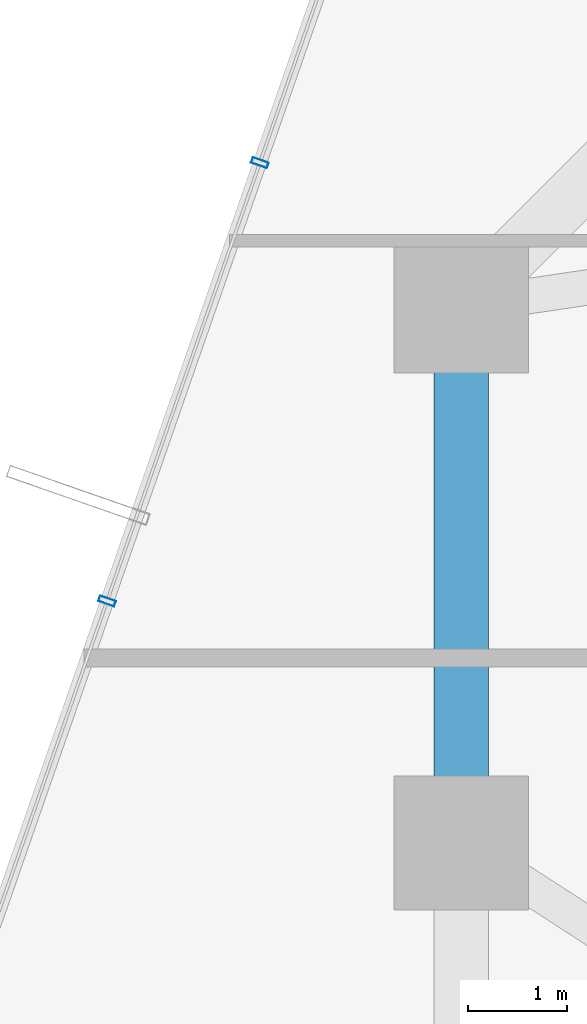
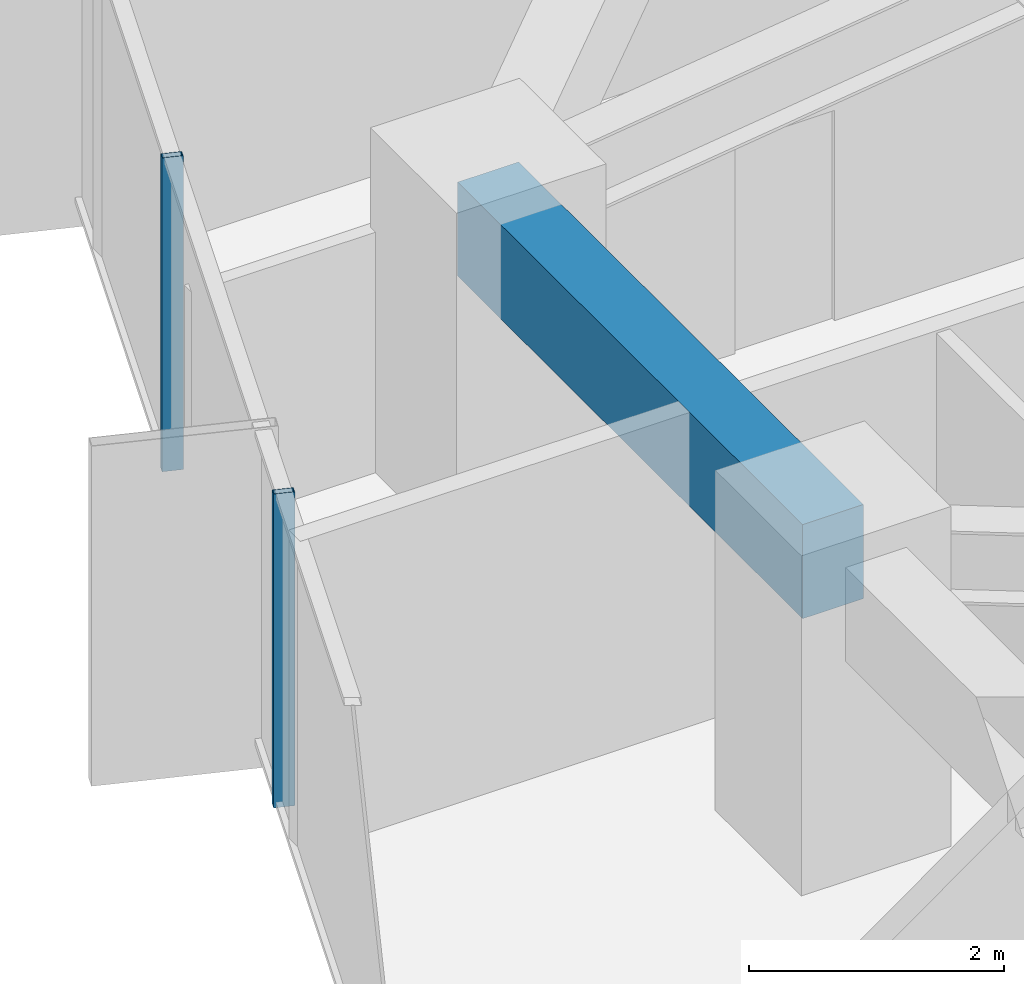
# One storey, part 12 of 38: 2 members, 1 beam, 1 element without a shape of its own.
"""IFC4 building model written with IfcOpenShell, lengths in metres."""

from ifc_helpers import new_model, si_unit, direction, frame, origin, origin_2d, place, context, subcontext, project, spatial, rectangle, hollow_rectangle, extrude, source, transform, mapped, material, layer, layer_set, material_profile, profile_set, type_object, element, aggregate, save


model = new_model("IFC4")

# Units and contexts
model_context = context("Model", 3, precision=1e-05, world=origin(), true_north=direction((0.0, 1.0)))
body_context = subcontext(model_context, "Body", "Model", "MODEL_VIEW")
ifc_project = project(units=[si_unit("LENGTHUNIT", "METRE"), si_unit("AREAUNIT", "SQUARE_METRE"), si_unit("VOLUMEUNIT", "CUBIC_METRE"), si_unit("PLANEANGLEUNIT", "RADIAN"), si_unit("MASSUNIT", "GRAM", prefix="KILO")], contexts=[model_context])

# Site, building, storey
site_placement = place(None, origin())
site = spatial("IfcSite", under=ifc_project, at=site_placement, CompositionType="ELEMENT")
building_placement = place(site_placement, origin())
building = spatial("IfcBuilding", under=site, at=building_placement, Name="Veraguas Prism Commons", CompositionType="ELEMENT")
storey_placement = place(building_placement, frame((0.0, 0.0, 60.85009765625)))
storey = spatial("IfcBuildingStorey", under=building, at=storey_placement, Name="L16", CompositionType="ELEMENT", Elevation=60.85009765625)

# Beam
ifc_material_1 = material(Name="Concrete C50/60", Category="concrete")
ifc_material_profile_1 = material_profile(ifc_material_1, rectangle(XDim=0.550048828125, YDim=0.89990234375, at=origin_2d()), Name="RC550X900")
ifc_profile_set_1 = profile_set([ifc_material_profile_1], Name="Concrete C50/60")
beam_type = type_object("IfcBeamType", Name="Perimeter Spandrel Lower RC 550x900", PredefinedType="SPANDREL", material=ifc_profile_set_1)
beam_placement = place(storey_placement, frame((6.39990234375, 29.39990234375, 2.5498046875), z_axis=(0.0, -1.0, 0.0), x_axis=(1.0, 0.0, 0.0)))
element("IfcBeam", 1, at=beam_placement, inside=storey, type_object=beam_type, Name="Perimeter Spandrel Beam L16-SP07", PredefinedType="SPANDREL", context=body_context, shape_type="SweptSolid", body=[
    extrude(rectangle(XDim=0.550048828125, YDim=0.89990234375, at=origin_2d()), origin(), (0.0, 0.0, 1.0), 5.39990234375),
])

# Curtain wall, members
ifc_material_2 = material(Name="Anodised aluminium EN AW-6063 T6", Category="aluminium")
ifc_layer = layer(ifc_material_2, 0.169921875, Name="Unitised Flush Curtain Wall Zone 1", Category="aluminium")
ifc_layer_set = layer_set([ifc_layer], Name="Anodised aluminium EN AW-6063 T6")
curtain_wall_type = type_object("IfcCurtainWallType", Name="Unitised Flush Curtain Wall Zone 1", PredefinedType="NOTDEFINED", material=ifc_layer_set)
curtain_wall_placement = place(storey_placement, origin())
curtain_wall = element("IfcCurtainWall", 2, at=curtain_wall_placement, inside=storey, type_object=curtain_wall_type, Name="Tower Facade Curtain Wall L16-F3", PredefinedType="NOTDEFINED")
ifc_material_profile_2 = material_profile(ifc_material_2, hollow_rectangle(XDim=0.06005859375, YDim=0.169921875, WallThickness=0.00390625, at=origin_2d()), Name="AL60X170X4")
ifc_profile_set_2 = profile_set([ifc_material_profile_2], Name="Anodised aluminium EN AW-6063 T6")
member_type = type_object("IfcMemberType", Name="Curtain Wall Mullion Lower AL 60x170x4", PredefinedType="MULLION", material=ifc_profile_set_2)
shared_shape = source(origin(), body_context, "Body", "SweptSolid", [
    extrude(hollow_rectangle(XDim=0.06005859375, YDim=0.169921875, WallThickness=0.00390625, at=origin_2d()), origin(), (0.0, 0.0, 1.0), 3.0),
])
member_1_placement = place(storey_placement, frame((4.373779296875, 30.84228515625, 0.0), z_axis=(0.0, 0.0, 1.0), x_axis=(-0.329194628189, -0.944262091144, 0.0)))
member_1 = element("IfcMember", 3, at=member_1_placement, type_object=member_type, Name="CW-Z1 Mullion 3", PredefinedType="MULLION", context=body_context, shape_type="MappedRepresentation", body=[
    mapped(shared_shape, transform((0.0, 0.0, 0.0), scale=1.0)),
])
member_2_placement = place(storey_placement, frame((2.836181640625, 26.431640625, 0.0), z_axis=(0.0, 0.0, 1.0), x_axis=(-0.329194628189, -0.944262091144, 0.0)))
member_2 = element("IfcMember", 4, at=member_2_placement, type_object=member_type, Name="CW-Z1 Mullion 4", PredefinedType="MULLION", context=body_context, shape_type="MappedRepresentation", body=[
    mapped(shared_shape, transform((0.0, 0.0, 0.0), scale=1.0)),
])
aggregate(curtain_wall, [member_1, member_2])

save(model, "model.ifc")
